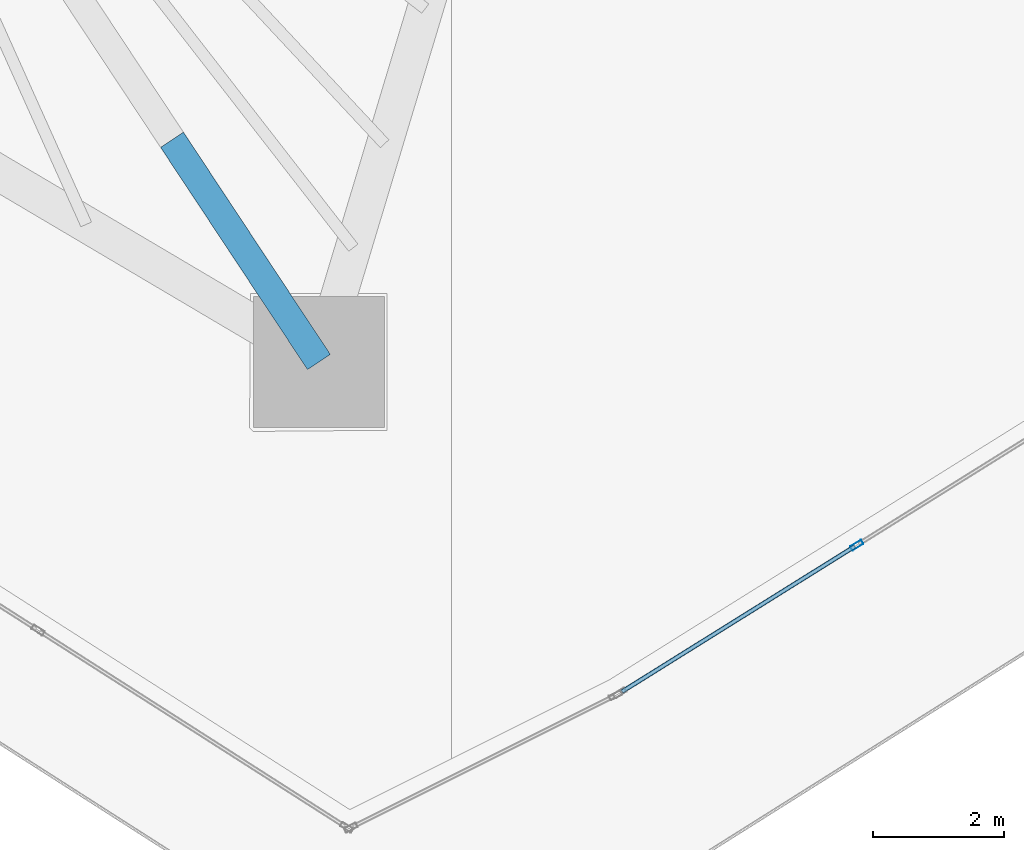
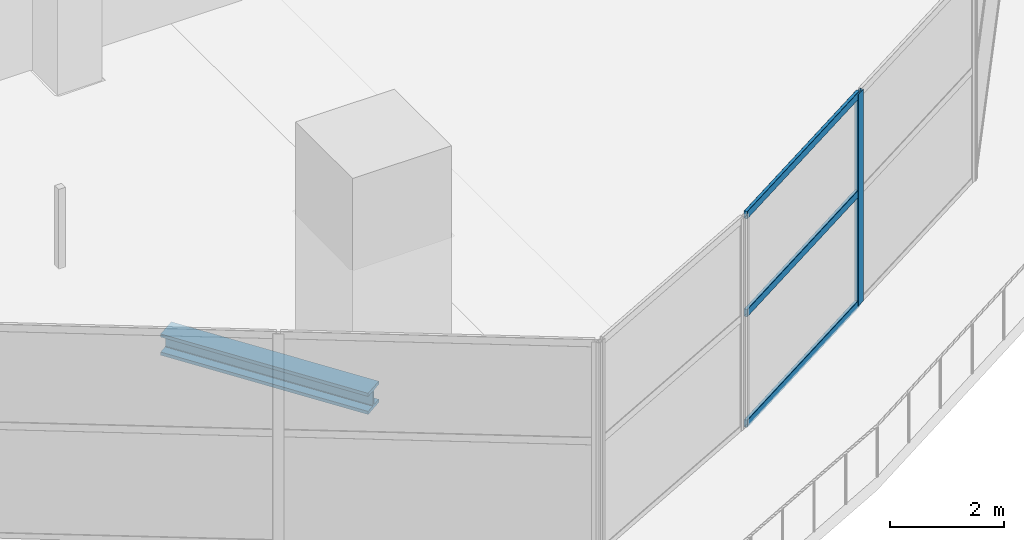
# One storey, part 9 of 36: 5 members, 1 element without a shape of its own.
"""IFC4 building model written with IfcOpenShell, lengths in metres."""

import ifcopenshell
import ifcopenshell.guid

model = None  # the IFC model being written
_history = None  # IfcOwnerHistory: only IFC2X3 demands one
_inside = {}  # id of a spatial element -> (the spatial element, [elements in it])
_under = {}  # id of a project, library or spatial element -> (it, [spatial elements below it])
_declared = {}  # id of a project -> (the project, [libraries it declares])
_typed = {}  # id of a type object -> (the type object, [elements of that type])
_made_of = {}  # id of a material, layer set ... -> (it, [elements and type objects made of it])


def new_model(schema):
    """Start an empty IFC model of exactly this schema.

    Asked for "IFC4X3", IfcOpenShell would pick the latest addendum, in which some entities
    have other attributes; the version numbers below select the first issue.
    IFC2X3 requires an IfcOwnerHistory on every rooted entity: one is made here for all.
    """
    global model, _history
    if schema == "IFC4X3":
        model = ifcopenshell.file(schema_version=(4, 3, 0, 0))
    else:
        model = ifcopenshell.file(schema=schema)
    _inside.clear()
    _under.clear()
    _declared.clear()
    _typed.clear()
    _made_of.clear()
    _history = None
    if model.schema == "IFC2X3":
        org = make("IfcOrganization", Name="unknown")
        user = make(
            "IfcPersonAndOrganization",
            ThePerson=make("IfcPerson", FamilyName="unknown"),
            TheOrganization=org,
        )
        app = make(
            "IfcApplication",
            ApplicationDeveloper=org,
            Version="unknown",
            ApplicationFullName="unknown",
            ApplicationIdentifier="unknown",
        )
        _history = make(
            "IfcOwnerHistory",
            OwningUser=user,
            OwningApplication=app,
            ChangeAction="ADDED",
            CreationDate=0,
        )
    return model


def make(cls, **values):
    """One entity of the class cls with the attributes given. An attribute that is None is left unset."""
    return model.create_entity(
        cls, **{name: value for name, value in values.items() if value is not None}
    )


def rooted(cls, **values):
    """An entity with a GlobalId (a new one), such as an element, a storey or a relation."""
    return make(cls, GlobalId=ifcopenshell.guid.new(), OwnerHistory=_history, **values)


def si_unit(unit_type, name, prefix=None):
    """IfcSIUnit, for example si_unit("LENGTHUNIT", "METRE", prefix="MILLI")."""
    return make("IfcSIUnit", UnitType=unit_type, Prefix=prefix, Name=name)


def assignment(units):
    """IfcUnitAssignment: the units of a project."""
    return None if units is None else make("IfcUnitAssignment", Units=units)


def point(xyz):
    """IfcCartesianPoint."""
    return None if xyz is None else make("IfcCartesianPoint", Coordinates=xyz)


def direction(xyz):
    """IfcDirection."""
    return None if xyz is None else make("IfcDirection", DirectionRatios=xyz)


def frame(location, z_axis=None, x_axis=None):
    """IfcAxis2Placement3D, a coordinate frame: its origin and axes. An axis left out is left unset."""
    return make(
        "IfcAxis2Placement3D",
        Location=point(location),
        Axis=direction(z_axis),
        RefDirection=direction(x_axis),
    )


def frame_2d(location, x_axis=None):
    """IfcAxis2Placement2D, a coordinate frame in the plane: its origin and x axis."""
    return make(
        "IfcAxis2Placement2D", Location=point(location), RefDirection=direction(x_axis)
    )


def origin():
    """The frame at (0, 0, 0) with its axes left unset."""
    return frame((0.0, 0.0, 0.0))


def origin_2d():
    """The frame at (0, 0) in the plane with its x axis left unset."""
    return frame_2d((0.0, 0.0))


def place(relative_to, where):
    """IfcLocalPlacement: puts the frame where relative to a parent placement (None: the world)."""
    return make(
        "IfcLocalPlacement", PlacementRelTo=relative_to, RelativePlacement=where
    )


def context(
    kind, dimensions, precision=None, world=None, true_north=None, identifier=None
):
    """IfcGeometricRepresentationContext, for example the 3D "Model" context."""
    return make(
        "IfcGeometricRepresentationContext",
        ContextIdentifier=identifier,
        ContextType=kind,
        CoordinateSpaceDimension=dimensions,
        Precision=precision,
        WorldCoordinateSystem=world,
        TrueNorth=true_north,
    )


def subcontext(parent, identifier, kind, view, scale=None):
    """IfcGeometricRepresentationSubContext, for example "Body" below "Model"."""
    return make(
        "IfcGeometricRepresentationSubContext",
        ContextIdentifier=identifier,
        ContextType=kind,
        ParentContext=parent,
        TargetScale=scale,
        TargetView=view,
    )


def project(units=None, contexts=None):
    """IfcProject with its units and contexts."""
    return rooted(
        "IfcProject",
        Name="project",
        RepresentationContexts=contexts,
        UnitsInContext=assignment(units),
    )


def spatial(cls, under=None, at=None, **own):
    """A site, building, storey or space (cls), placed at a placement, below another one or the project."""
    s = rooted(cls, ObjectPlacement=at, **own)
    if under is not None:
        _under.setdefault(under.id(), (under, []))[1].append(s)
    return s


def profile(cls, at=None, kind="AREA", **sizes):
    """A parametric profile (cls). Its sizes go by their IFC names, for example OverallWidth=200.0."""
    return make(cls, ProfileType=kind, Position=at, **sizes)


def hollow_rectangle(**sizes):
    """IfcRectangleHollowProfileDef."""
    return profile("IfcRectangleHollowProfileDef", **sizes)


def i_section(**sizes):
    """IfcIShapeProfileDef."""
    return profile("IfcIShapeProfileDef", **sizes)


def extrude(swept, where, along, depth):
    """IfcExtrudedAreaSolid: the profile swept, set in the frame where, extruded along a direction by depth."""
    return make(
        "IfcExtrudedAreaSolid",
        SweptArea=swept,
        Position=where,
        ExtrudedDirection=direction(along),
        Depth=depth,
    )


def shape(context_of_items, identifier, shape_type, items):
    """IfcShapeRepresentation: the items that make up one representation, for example the "Body"."""
    return make(
        "IfcShapeRepresentation",
        ContextOfItems=context_of_items,
        RepresentationIdentifier=identifier,
        RepresentationType=shape_type,
        Items=items,
    )


def material(Name=None, Category=None):
    """IfcMaterial."""
    return make("IfcMaterial", Name=Name, Category=Category)


def layer(
    of_material, thickness, ventilated=None, Name=None, Category=None, Priority=None
):
    """IfcMaterialLayer: one layer of a wall or slab, of a material (None: an air gap)."""
    return make(
        "IfcMaterialLayer",
        Material=of_material,
        LayerThickness=thickness,
        IsVentilated=ventilated,
        Name=Name,
        Category=Category,
        Priority=Priority,
    )


def layer_set(layers, Name=None):
    """IfcMaterialLayerSet."""
    return make("IfcMaterialLayerSet", MaterialLayers=layers, LayerSetName=Name)


def material_profile(
    of_material, cross_section, Name=None, Category=None, Priority=None
):
    """IfcMaterialProfile: a cross section and its material."""
    return make(
        "IfcMaterialProfile",
        Name=Name,
        Material=of_material,
        Profile=cross_section,
        Priority=Priority,
        Category=Category,
    )


def profile_set(profiles, Name=None, composite=None):
    """IfcMaterialProfileSet."""
    return make(
        "IfcMaterialProfileSet",
        Name=Name,
        MaterialProfiles=profiles,
        CompositeProfile=composite,
    )


def made_of(thing, what):
    """Note that an element or type object is made of a material, layer set ...; save() writes the relation."""
    if what is not None:
        _made_of.setdefault(what.id(), (what, []))[1].append(thing)
    return thing


def type_object(cls, material=None, **own):
    """A type object (cls), such as IfcWallType, which elements share."""
    return made_of(rooted(cls, **own), material)


def element(
    cls,
    number,
    at=None,
    inside=None,
    cuts=None,
    type_object=None,
    material=None,
    context=None,
    identifier="Body",
    shape_type=None,
    held_by="IfcProductDefinitionShape",
    body=None,
    shapes=None,
    **own,
):
    """One element of the class cls, such as IfcWall. Its Tag is "e" and its number.

    at: its placement. inside: the storey or other place that contains it. cuts: it is an
    opening in that element (IfcRelVoidsElement). A single representation is given by context,
    identifier, shape_type and body (its items); several are given by shapes. held_by: the class
    of the entity that holds the representations. save() writes the other relations.
    """
    e = rooted(cls, Tag="e%d" % number, ObjectPlacement=at, **own)
    if body is not None:
        shapes = [shape(context, identifier, shape_type, body)]
    if shapes is not None:
        e.Representation = make(held_by, Representations=shapes)
    if inside is not None:
        _inside.setdefault(inside.id(), (inside, []))[1].append(e)
    if cuts is not None:
        rooted(
            "IfcRelVoidsElement", RelatingBuildingElement=cuts, RelatedOpeningElement=e
        )
    if type_object is not None:
        _typed.setdefault(type_object.id(), (type_object, []))[1].append(e)
    return made_of(e, material)


def aggregate(whole, parts):
    """IfcRelAggregates: a whole, such as a stair, and the parts it consists of."""
    return rooted("IfcRelAggregates", RelatingObject=whole, RelatedObjects=parts)


def save(model, path):
    """Write the relations noted so far, then the file.

    IfcRelAggregates (storeys below a building ...), IfcRelContainedInSpatialStructure (elements
    in a storey), IfcRelDefinesByType, IfcRelAssociatesMaterial and IfcRelDeclares: one each for
    every whole, place, type object, material and project.
    """
    for whole, parts in _under.values():
        aggregate(whole, parts)
    for where, things in _inside.values():
        rooted(
            "IfcRelContainedInSpatialStructure",
            RelatedElements=things,
            RelatingStructure=where,
        )
    for kind, things in _typed.values():
        rooted("IfcRelDefinesByType", RelatedObjects=things, RelatingType=kind)
    for what, things in _made_of.values():
        rooted("IfcRelAssociatesMaterial", RelatedObjects=things, RelatingMaterial=what)
    for by, libraries in _declared.values():
        rooted("IfcRelDeclares", RelatingContext=by, RelatedDefinitions=libraries)
    model.write(path)


model = new_model("IFC4")

# Units and contexts
model_context = context("Model", 3, precision=1e-05, world=origin(), true_north=direction((0.0, 1.0)))
body_context = subcontext(model_context, "Body", "Model", "MODEL_VIEW")
ifc_project = project(units=[si_unit("LENGTHUNIT", "METRE"), si_unit("AREAUNIT", "SQUARE_METRE"), si_unit("VOLUMEUNIT", "CUBIC_METRE"), si_unit("PLANEANGLEUNIT", "RADIAN"), si_unit("MASSUNIT", "GRAM", prefix="KILO")], contexts=[model_context])

# Site, building, storey
site_placement = place(None, origin())
site = spatial("IfcSite", under=ifc_project, at=site_placement, CompositionType="ELEMENT")
building_placement = place(site_placement, origin())
building = spatial("IfcBuilding", under=site, at=building_placement, Name="Qorvath Tower", CompositionType="ELEMENT")
storey_placement = place(building_placement, frame((0.0, 0.0, 180.0)))
storey = spatial("IfcBuildingStorey", under=building, at=storey_placement, Name="L41", CompositionType="ELEMENT", Elevation=180.0)

# Curtain wall, members
ifc_material_1 = material(Name="Anodised aluminium and triple low-E glass", Category="aluminium")
ifc_layer = layer(ifc_material_1, 0.179931640625)
ifc_layer_set = layer_set([ifc_layer], Name="CW-SYS-5")
curtain_wall_type = type_object("IfcCurtainWallType", Name="CW-SYS-5", PredefinedType="NOTDEFINED", material=ifc_layer_set)
curtain_wall_placement = place(storey_placement, origin())
curtain_wall = element("IfcCurtainWall", 1, at=curtain_wall_placement, inside=storey, type_object=curtain_wall_type, Name="Curtain Wall CW-5 CW-T-L41-4.1", PredefinedType="NOTDEFINED")
ifc_material_2 = material(Name="Anodised aluminium 6063-T6", Category="aluminium")
ifc_material_profile_1 = material_profile(ifc_material_2, hollow_rectangle(XDim=0.074951171875, YDim=0.199951171875, WallThickness=0.00390625, InnerFilletRadius=0.00390625, OuterFilletRadius=0.008056640625, at=origin_2d()), Name="CWM 200x75")
ifc_profile_set_1 = profile_set([ifc_material_profile_1], Name="Anodised aluminium 6063-T6")
member_type_1 = type_object("IfcMemberType", Name="CWM-200", PredefinedType="MULLION", material=ifc_profile_set_1)
member_1_placement = place(storey_placement, frame((-8.66015625, -24.42333984375, 0.0), z_axis=(0.0, 0.0, 1.0), x_axis=(-0.529309919685, 0.848428552633, 0.0)))
member_1 = element("IfcMember", 2, at=member_1_placement, type_object=member_type_1, Name="CW-5 mullion 2", PredefinedType="MULLION", context=body_context, shape_type="SweptSolid", body=[
    extrude(hollow_rectangle(XDim=0.074951171875, YDim=0.199951171875, WallThickness=0.00390625, InnerFilletRadius=0.00390625, OuterFilletRadius=0.008056640625, at=origin_2d()), origin(), (0.0, 0.0, 1.0), 4.530029296875),
])
ifc_material_3 = material(Name="Anodised aluminium 6063-T6", Category="aluminium")
ifc_material_profile_2 = material_profile(ifc_material_3, hollow_rectangle(XDim=0.06494140625, YDim=0.159912109375, WallThickness=0.00341796875, InnerFilletRadius=0.00341796875, OuterFilletRadius=0.007080078125, at=origin_2d()), Name="CWT 160x65")
ifc_profile_set_2 = profile_set([ifc_material_profile_2], Name="Anodised aluminium 6063-T6")
member_type_2 = type_object("IfcMemberType", Name="CWT-160", PredefinedType="USERDEFINED", material=ifc_profile_set_2)
member_2_placement = place(storey_placement, frame((-12.244384765625, -26.659423828125, 0.032470703125), z_axis=(0.848427140376, 0.529312183378, 0.0), x_axis=(-0.529312183378, 0.848427140376, 0.0)))
member_2 = element("IfcMember", 3, at=member_2_placement, type_object=member_type_2, Name="CW-5 transom 1.1", ObjectType="TRANSOM", PredefinedType="USERDEFINED", context=body_context, shape_type="SweptSolid", body=[
    extrude(hollow_rectangle(XDim=0.06494140625, YDim=0.159912109375, WallThickness=0.00341796875, InnerFilletRadius=0.00341796875, OuterFilletRadius=0.007080078125, at=origin_2d()), origin(), (0.0, 0.0, 1.0), 4.187255859375),
])
member_3_placement = place(storey_placement, frame((-12.244384765625, -26.659423828125, 2.39990234375), z_axis=(0.848427140376, 0.529312183378, 0.0), x_axis=(-0.529312183378, 0.848427140376, 0.0)))
member_3 = element("IfcMember", 4, at=member_3_placement, type_object=member_type_2, Name="CW-5 transom 1.2", ObjectType="TRANSOM", PredefinedType="USERDEFINED", context=body_context, shape_type="SweptSolid", body=[
    extrude(hollow_rectangle(XDim=0.06494140625, YDim=0.159912109375, WallThickness=0.00341796875, InnerFilletRadius=0.00341796875, OuterFilletRadius=0.007080078125, at=origin_2d()), origin(), (0.0, 0.0, 1.0), 4.187255859375),
])
member_4_placement = place(storey_placement, frame((-12.244384765625, -26.659423828125, 4.49755859375), z_axis=(0.848427140376, 0.529312183378, 0.0), x_axis=(-0.529312183378, 0.848427140376, 0.0)))
member_4 = element("IfcMember", 5, at=member_4_placement, type_object=member_type_2, Name="CW-5 transom 1.3", ObjectType="TRANSOM", PredefinedType="USERDEFINED", context=body_context, shape_type="SweptSolid", body=[
    extrude(hollow_rectangle(XDim=0.06494140625, YDim=0.159912109375, WallThickness=0.00341796875, InnerFilletRadius=0.00341796875, OuterFilletRadius=0.007080078125, at=origin_2d()), origin(), (0.0, 0.0, 1.0), 4.187255859375),
])
aggregate(curtain_wall, [member_1, member_2, member_3, member_4])

# Member
ifc_material_4 = material(Name="Steel ASTM A913 Grade 65", Category="steel")
ifc_material_profile_3 = material_profile(ifc_material_4, i_section(OverallWidth=0.4189453125, OverallDepth=0.455078125, WebThickness=0.0419921875, FlangeThickness=0.067626953125, FilletRadius=0.02490234375, at=origin_2d()), Name="W14x370")
ifc_profile_set_3 = profile_set([ifc_material_profile_3], Name="Steel ASTM A913 Grade 65")
member_type_3 = type_object("IfcMemberType", Name="MEM-OT2", PredefinedType="CHORD", material=ifc_profile_set_3)
member_5_placement = place(storey_placement, frame((-19.114501953125, -18.234619140625, -0.85009765625), z_axis=(0.551496030523, -0.834177516071, 0.0), x_axis=(0.834177516071, 0.551496030523, 0.0)))
element("IfcMember", 6, at=member_5_placement, inside=storey, type_object=member_type_3, Name="Outrigger and Belt Truss Top Chord OB2-4.3", PredefinedType="CHORD", context=body_context, shape_type="SweptSolid", body=[
    extrude(i_section(OverallWidth=0.4189453125, OverallDepth=0.455078125, WebThickness=0.0419921875, FlangeThickness=0.067626953125, FilletRadius=0.02490234375, at=origin_2d()), origin(), (0.0, 0.0, 1.0), 4.06689453125),
])

save(model, "model.ifc")
